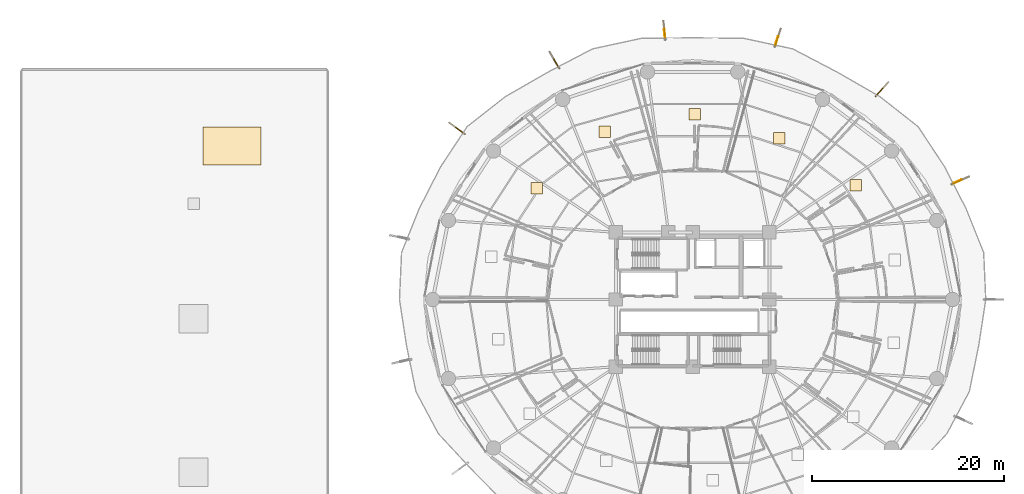
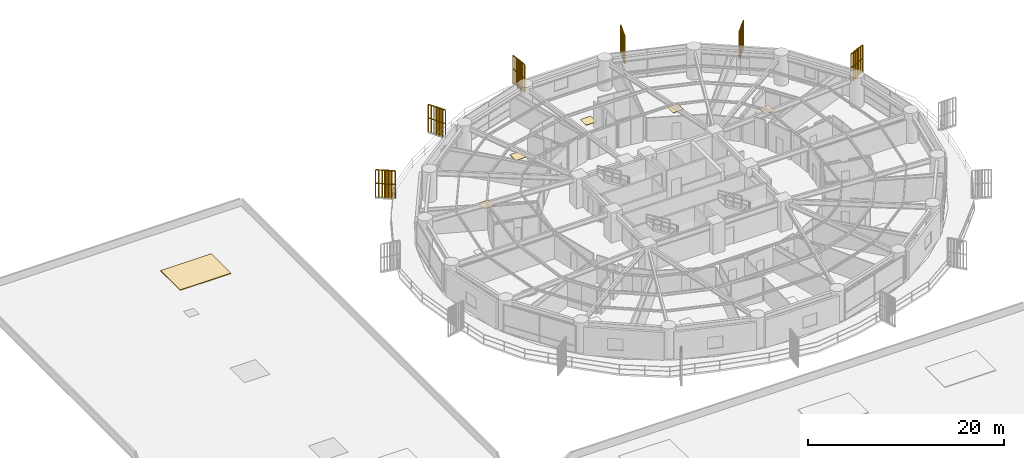
# One storey, part 35 of 35: 6 coverings, 6 railings, 6 shading devices.
"""IFC4 building model written with IfcOpenShell, lengths in metres."""

from ifc_helpers import new_model, si_unit, direction, frame, origin, origin_2d, place, context, subcontext, project, spatial, polyline, rectangle, outline, extrude, source, transform, mapped, material, layer, layer_set, type_object, element, save


model = new_model("IFC4")

# Units and contexts
model_context = context("Model", 3, precision=1e-05, world=origin(), true_north=direction((0.0, 1.0)))
body_context = subcontext(model_context, "Body", "Model", "MODEL_VIEW")
ifc_project = project(units=[si_unit("LENGTHUNIT", "METRE"), si_unit("AREAUNIT", "SQUARE_METRE"), si_unit("VOLUMEUNIT", "CUBIC_METRE"), si_unit("PLANEANGLEUNIT", "RADIAN"), si_unit("MASSUNIT", "GRAM", prefix="KILO")], contexts=[model_context])

# Site, building, storey
site_placement = place(None, origin())
site = spatial("IfcSite", under=ifc_project, at=site_placement, CompositionType="ELEMENT")
building_placement = place(site_placement, origin())
building = spatial("IfcBuilding", under=site, at=building_placement, Name="Kelanora Arch Commons", CompositionType="ELEMENT")
storey_placement = place(building_placement, frame((0.0, 0.0, 22.5)))
storey = spatial("IfcBuildingStorey", under=building, at=storey_placement, Name="L05", CompositionType="ELEMENT", Elevation=22.5)

# Railings
ifc_material_1 = material(Name="Anodised bronze vertical shading fin rib assembly")
railing_type = type_object("IfcRailingType", Name="RAIL-FIN-BRZ", PredefinedType="BALUSTRADE", material=ifc_material_1)
railing_1_placement = place(storey_placement, frame((100.960693359375, 70.003662109375, -0.02001953125)))
element("IfcRailing", 1, at=railing_1_placement, inside=storey, type_object=railing_type, Name="Sweeping Bronze Vertical Fin Blade L05-01", PredefinedType="BALUSTRADE", context=body_context, shape_type="SweptSolid", body=[
    extrude(outline(polyline([(0.06982421875, 0.0), (0.034912109375, 0.060546875), (-0.034912109375, 0.060546875), (-0.06982421875, 0.0), (-0.034912109375, -0.060546875), (0.034912109375, -0.060546875), (0.06982421875, 0.0)])), frame((0.0, 0.0, 3.419921875), z_axis=(0.913543540245, 0.406740949593, 0.0), x_axis=(-0.406740949593, 0.913543540245, 0.0)), (0.0, 0.0, 1.0), 2.030029296875),
    extrude(outline(polyline([(0.06982421875, 0.0), (0.034912109375, 0.060546875), (-0.034912109375, 0.060546875), (-0.06982421875, 0.0), (-0.034912109375, -0.060546875), (0.034912109375, -0.060546875), (0.06982421875, 0.0)])), frame((0.0, 0.0, 1.7451171875), z_axis=(0.913543540245, 0.406740949593, 0.0), x_axis=(-0.406740949593, 0.913543540245, 0.0)), (0.0, 0.0, 1.0), 2.030029296875),
    extrude(outline(polyline([(0.080078125, 0.0), (0.0400390625, 0.0693359375), (-0.0400390625, 0.0693359375), (-0.080078125, 0.0), (-0.0400390625, -0.0693359375), (0.0400390625, -0.0693359375), (0.080078125, 0.0)])), origin(), (0.0, 0.0, 1.0), 3.35009765625),
    extrude(outline(polyline([(0.080078125, 0.0), (0.0400390625, 0.0693359375), (-0.0400390625, 0.0693359375), (-0.080078125, 0.0), (-0.0400390625, -0.0693359375), (0.0400390625, -0.0693359375), (0.080078125, 0.0)])), frame((0.30908203125, 0.1376953125, 0.0)), (0.0, 0.0, 1.0), 3.35009765625),
    extrude(outline(polyline([(0.080078125, 0.0), (0.0400390625, 0.0693359375), (-0.0400390625, 0.0693359375), (-0.080078125, 0.0), (-0.0400390625, -0.0693359375), (0.0400390625, -0.0693359375), (0.080078125, 0.0)])), frame((0.6181640625, 0.275146484375, 0.0)), (0.0, 0.0, 1.0), 3.35009765625),
    extrude(outline(polyline([(0.080078125, 0.0), (0.0400390625, 0.0693359375), (-0.0400390625, 0.0693359375), (-0.080078125, 0.0), (-0.0400390625, -0.0693359375), (0.0400390625, -0.0693359375), (0.080078125, 0.0)])), frame((0.92724609375, 0.412841796875, 0.0)), (0.0, 0.0, 1.0), 3.35009765625),
    extrude(outline(polyline([(0.080078125, 0.0), (0.0400390625, 0.0693359375), (-0.0400390625, 0.0693359375), (-0.080078125, 0.0), (-0.0400390625, -0.0693359375), (0.0400390625, -0.0693359375), (0.080078125, 0.0)])), frame((1.236328125, 0.550537109375, 0.0)), (0.0, 0.0, 1.0), 3.35009765625),
    extrude(outline(polyline([(0.080078125, 0.0), (0.0400390625, 0.0693359375), (-0.0400390625, 0.0693359375), (-0.080078125, 0.0), (-0.0400390625, -0.0693359375), (0.0400390625, -0.0693359375), (0.080078125, 0.0)])), frame((1.54541015625, 0.68798828125, 0.0)), (0.0, 0.0, 1.0), 3.35009765625),
    extrude(outline(polyline([(0.080078125, 0.0), (0.0400390625, 0.0693359375), (-0.0400390625, 0.0693359375), (-0.080078125, 0.0), (-0.0400390625, -0.0693359375), (0.0400390625, -0.0693359375), (0.080078125, 0.0)])), frame((1.8544921875, 0.82568359375, 0.0)), (0.0, 0.0, 1.0), 3.35009765625),
])
railing_2_placement = place(storey_placement, frame((93.060302734375, 79.168701171875, -0.02001953125)))
element("IfcRailing", 2, at=railing_2_placement, inside=storey, type_object=railing_type, Name="Sweeping Bronze Vertical Fin Blade L05-02", PredefinedType="BALUSTRADE", context=body_context, shape_type="SweptSolid", body=[
    extrude(outline(polyline([(0.06982421875, 0.0), (0.034912109375, 0.060546875), (-0.034912109375, 0.060546875), (-0.06982421875, 0.0), (-0.034912109375, -0.060546875), (0.034912109375, -0.060546875), (0.06982421875, 0.0)])), frame((0.0, 0.0, 3.419921875), z_axis=(0.669157399769, 0.743120699708, 0.0), x_axis=(-0.743120699708, 0.669157399769, 0.0)), (0.0, 0.0, 1.0), 2.030029296875),
    extrude(outline(polyline([(0.06982421875, 0.0), (0.034912109375, 0.060546875), (-0.034912109375, 0.060546875), (-0.06982421875, 0.0), (-0.034912109375, -0.060546875), (0.034912109375, -0.060546875), (0.06982421875, 0.0)])), frame((0.0, 0.0, 1.7451171875), z_axis=(0.669157399769, 0.743120699708, 0.0), x_axis=(-0.743120699708, 0.669157399769, 0.0)), (0.0, 0.0, 1.0), 2.030029296875),
    extrude(outline(polyline([(0.080078125, 0.0), (0.0400390625, 0.0693359375), (-0.0400390625, 0.0693359375), (-0.080078125, 0.0), (-0.0400390625, -0.0693359375), (0.0400390625, -0.0693359375), (0.080078125, 0.0)])), origin(), (0.0, 0.0, 1.0), 3.35009765625),
    extrude(outline(polyline([(0.080078125, 0.0), (0.0400390625, 0.0693359375), (-0.0400390625, 0.0693359375), (-0.080078125, 0.0), (-0.0400390625, -0.0693359375), (0.0400390625, -0.0693359375), (0.080078125, 0.0)])), frame((0.226318359375, 0.25146484375, 0.0)), (0.0, 0.0, 1.0), 3.35009765625),
    extrude(outline(polyline([(0.080078125, 0.0), (0.0400390625, 0.0693359375), (-0.0400390625, 0.0693359375), (-0.080078125, 0.0), (-0.0400390625, -0.0693359375), (0.0400390625, -0.0693359375), (0.080078125, 0.0)])), frame((0.452880859375, 0.5029296875, 0.0)), (0.0, 0.0, 1.0), 3.35009765625),
    extrude(outline(polyline([(0.080078125, 0.0), (0.0400390625, 0.0693359375), (-0.0400390625, 0.0693359375), (-0.080078125, 0.0), (-0.0400390625, -0.0693359375), (0.0400390625, -0.0693359375), (0.080078125, 0.0)])), frame((0.67919921875, 0.75439453125, 0.0)), (0.0, 0.0, 1.0), 3.35009765625),
    extrude(outline(polyline([(0.080078125, 0.0), (0.0400390625, 0.0693359375), (-0.0400390625, 0.0693359375), (-0.080078125, 0.0), (-0.0400390625, -0.0693359375), (0.0400390625, -0.0693359375), (0.080078125, 0.0)])), frame((0.905517578125, 1.005615234375, 0.0)), (0.0, 0.0, 1.0), 3.35009765625),
    extrude(outline(polyline([(0.080078125, 0.0), (0.0400390625, 0.0693359375), (-0.0400390625, 0.0693359375), (-0.080078125, 0.0), (-0.0400390625, -0.0693359375), (0.0400390625, -0.0693359375), (0.080078125, 0.0)])), frame((1.132080078125, 1.257080078125, 0.0)), (0.0, 0.0, 1.0), 3.35009765625),
    extrude(outline(polyline([(0.080078125, 0.0), (0.0400390625, 0.0693359375), (-0.0400390625, 0.0693359375), (-0.080078125, 0.0), (-0.0400390625, -0.0693359375), (0.0400390625, -0.0693359375), (0.080078125, 0.0)])), frame((1.3583984375, 1.508544921875, 0.0)), (0.0, 0.0, 1.0), 3.35009765625),
])
railing_3_placement = place(storey_placement, frame((82.5498046875, 84.3134765625, -0.02001953125)))
element("IfcRailing", 3, at=railing_3_placement, inside=storey, type_object=railing_type, Name="Sweeping Bronze Vertical Fin Blade L05-03", PredefinedType="BALUSTRADE", context=body_context, shape_type="SweptSolid", body=[
    extrude(outline(polyline([(0.06982421875, 0.0), (0.034912109375, 0.060546875), (-0.034912109375, 0.060546875), (-0.06982421875, 0.0), (-0.034912109375, -0.060546875), (0.034912109375, -0.060546875), (0.06982421875, 0.0)])), frame((0.0, 0.0, 3.419921875), z_axis=(0.308966414574, 0.951072949182, 0.0), x_axis=(-0.951072949182, 0.308966414574, 0.0)), (0.0, 0.0, 1.0), 2.030029296875),
    extrude(outline(polyline([(0.06982421875, 0.0), (0.034912109375, 0.060546875), (-0.034912109375, 0.060546875), (-0.06982421875, 0.0), (-0.034912109375, -0.060546875), (0.034912109375, -0.060546875), (0.06982421875, 0.0)])), frame((0.0, 0.0, 1.7451171875), z_axis=(0.308966414574, 0.951072949182, 0.0), x_axis=(-0.951072949182, 0.308966414574, 0.0)), (0.0, 0.0, 1.0), 2.030029296875),
    extrude(outline(polyline([(0.080078125, 0.0), (0.0400390625, 0.0693359375), (-0.0400390625, 0.0693359375), (-0.080078125, 0.0), (-0.0400390625, -0.0693359375), (0.0400390625, -0.0693359375), (0.080078125, 0.0)])), origin(), (0.0, 0.0, 1.0), 3.35009765625),
    extrude(outline(polyline([(0.080078125, 0.0), (0.0400390625, 0.0693359375), (-0.0400390625, 0.0693359375), (-0.080078125, 0.0), (-0.0400390625, -0.0693359375), (0.0400390625, -0.0693359375), (0.080078125, 0.0)])), frame((0.1044921875, 0.32177734375, 0.0)), (0.0, 0.0, 1.0), 3.35009765625),
    extrude(outline(polyline([(0.080078125, 0.0), (0.0400390625, 0.0693359375), (-0.0400390625, 0.0693359375), (-0.080078125, 0.0), (-0.0400390625, -0.0693359375), (0.0400390625, -0.0693359375), (0.080078125, 0.0)])), frame((0.208984375, 0.6435546875, 0.0)), (0.0, 0.0, 1.0), 3.35009765625),
    extrude(outline(polyline([(0.080078125, 0.0), (0.0400390625, 0.0693359375), (-0.0400390625, 0.0693359375), (-0.080078125, 0.0), (-0.0400390625, -0.0693359375), (0.0400390625, -0.0693359375), (0.080078125, 0.0)])), frame((0.3134765625, 0.96533203125, 0.0)), (0.0, 0.0, 1.0), 3.35009765625),
    extrude(outline(polyline([(0.080078125, 0.0), (0.0400390625, 0.0693359375), (-0.0400390625, 0.0693359375), (-0.080078125, 0.0), (-0.0400390625, -0.0693359375), (0.0400390625, -0.0693359375), (0.080078125, 0.0)])), frame((0.418212890625, 1.287109375, 0.0)), (0.0, 0.0, 1.0), 3.35009765625),
    extrude(outline(polyline([(0.080078125, 0.0), (0.0400390625, 0.0693359375), (-0.0400390625, 0.0693359375), (-0.080078125, 0.0), (-0.0400390625, -0.0693359375), (0.0400390625, -0.0693359375), (0.080078125, 0.0)])), frame((0.522705078125, 1.60888671875, 0.0)), (0.0, 0.0, 1.0), 3.35009765625),
    extrude(outline(polyline([(0.080078125, 0.0), (0.0400390625, 0.0693359375), (-0.0400390625, 0.0693359375), (-0.080078125, 0.0), (-0.0400390625, -0.0693359375), (0.0400390625, -0.0693359375), (0.080078125, 0.0)])), frame((0.627197265625, 1.9306640625, 0.0)), (0.0, 0.0, 1.0), 3.35009765625),
])
railing_4_placement = place(storey_placement, frame((71.15771484375, 85.04150390625, -0.02001953125)))
element("IfcRailing", 4, at=railing_4_placement, inside=storey, type_object=railing_type, Name="Sweeping Bronze Vertical Fin Blade L05-04", PredefinedType="BALUSTRADE", context=body_context, shape_type="SweptSolid", body=[
    extrude(outline(polyline([(0.06982421875, 0.0), (0.034912109375, 0.060546875), (-0.034912109375, 0.060546875), (-0.06982421875, 0.0), (-0.034912109375, -0.060546875), (0.034912109375, -0.060546875), (0.06982421875, 0.0)])), frame((0.0, 0.0, 3.419921875), z_axis=(-0.10451574419, 0.994523232115, 0.0), x_axis=(-0.994523232115, -0.10451574419, 0.0)), (0.0, 0.0, 1.0), 2.030029296875),
    extrude(outline(polyline([(0.06982421875, 0.0), (0.034912109375, 0.060546875), (-0.034912109375, 0.060546875), (-0.06982421875, 0.0), (-0.034912109375, -0.060546875), (0.034912109375, -0.060546875), (0.06982421875, 0.0)])), frame((0.0, 0.0, 1.7451171875), z_axis=(-0.10451574419, 0.994523232115, 0.0), x_axis=(-0.994523232115, -0.10451574419, 0.0)), (0.0, 0.0, 1.0), 2.030029296875),
    extrude(outline(polyline([(0.080078125, 0.0), (0.0400390625, 0.0693359375), (-0.0400390625, 0.0693359375), (-0.080078125, 0.0), (-0.0400390625, -0.0693359375), (0.0400390625, -0.0693359375), (0.080078125, 0.0)])), origin(), (0.0, 0.0, 1.0), 3.35009765625),
    extrude(outline(polyline([(0.080078125, 0.0), (0.0400390625, 0.0693359375), (-0.0400390625, 0.0693359375), (-0.080078125, 0.0), (-0.0400390625, -0.0693359375), (0.0400390625, -0.0693359375), (0.080078125, 0.0)])), frame((-0.035400390625, 0.33642578125, 0.0)), (0.0, 0.0, 1.0), 3.35009765625),
    extrude(outline(polyline([(0.080078125, 0.0), (0.0400390625, 0.0693359375), (-0.0400390625, 0.0693359375), (-0.080078125, 0.0), (-0.0400390625, -0.0693359375), (0.0400390625, -0.0693359375), (0.080078125, 0.0)])), frame((-0.07080078125, 0.6728515625, 0.0)), (0.0, 0.0, 1.0), 3.35009765625),
    extrude(outline(polyline([(0.080078125, 0.0), (0.0400390625, 0.0693359375), (-0.0400390625, 0.0693359375), (-0.080078125, 0.0), (-0.0400390625, -0.0693359375), (0.0400390625, -0.0693359375), (0.080078125, 0.0)])), frame((-0.10595703125, 1.00927734375, 0.0)), (0.0, 0.0, 1.0), 3.35009765625),
    extrude(outline(polyline([(0.080078125, 0.0), (0.0400390625, 0.0693359375), (-0.0400390625, 0.0693359375), (-0.080078125, 0.0), (-0.0400390625, -0.0693359375), (0.0400390625, -0.0693359375), (0.080078125, 0.0)])), frame((-0.141357421875, 1.345947265625, 0.0)), (0.0, 0.0, 1.0), 3.35009765625),
    extrude(outline(polyline([(0.080078125, 0.0), (0.0400390625, 0.0693359375), (-0.0400390625, 0.0693359375), (-0.080078125, 0.0), (-0.0400390625, -0.0693359375), (0.0400390625, -0.0693359375), (0.080078125, 0.0)])), frame((-0.1767578125, 1.682373046875, 0.0)), (0.0, 0.0, 1.0), 3.35009765625),
    extrude(outline(polyline([(0.080078125, 0.0), (0.0400390625, 0.0693359375), (-0.0400390625, 0.0693359375), (-0.080078125, 0.0), (-0.0400390625, -0.0693359375), (0.0400390625, -0.0693359375), (0.080078125, 0.0)])), frame((-0.212158203125, 2.018798828125, 0.0)), (0.0, 0.0, 1.0), 3.35009765625),
])
railing_5_placement = place(storey_placement, frame((60.102294921875, 82.0712890625, -0.02001953125)))
element("IfcRailing", 5, at=railing_5_placement, inside=storey, type_object=railing_type, Name="Sweeping Bronze Vertical Fin Blade L05-05", PredefinedType="BALUSTRADE", context=body_context, shape_type="SweptSolid", body=[
    extrude(outline(polyline([(0.06982421875, 0.0), (0.034912109375, 0.060546875), (-0.034912109375, 0.060546875), (-0.06982421875, 0.0), (-0.034912109375, -0.060546875), (0.034912109375, -0.060546875), (0.06982421875, 0.0)])), frame((0.0, 0.0, 3.419921875), z_axis=(-0.499954962928, 0.866051404389, 0.0), x_axis=(-0.866051404389, -0.499954962928, 0.0)), (0.0, 0.0, 1.0), 2.030029296875),
    extrude(outline(polyline([(0.06982421875, 0.0), (0.034912109375, 0.060546875), (-0.034912109375, 0.060546875), (-0.06982421875, 0.0), (-0.034912109375, -0.060546875), (0.034912109375, -0.060546875), (0.06982421875, 0.0)])), frame((0.0, 0.0, 1.7451171875), z_axis=(-0.499954962928, 0.866051404389, 0.0), x_axis=(-0.866051404389, -0.499954962928, 0.0)), (0.0, 0.0, 1.0), 2.030029296875),
    extrude(outline(polyline([(0.080078125, 0.0), (0.0400390625, 0.0693359375), (-0.0400390625, 0.0693359375), (-0.080078125, 0.0), (-0.0400390625, -0.0693359375), (0.0400390625, -0.0693359375), (0.080078125, 0.0)])), origin(), (0.0, 0.0, 1.0), 3.35009765625),
    extrude(outline(polyline([(0.080078125, 0.0), (0.0400390625, 0.0693359375), (-0.0400390625, 0.0693359375), (-0.080078125, 0.0), (-0.0400390625, -0.0693359375), (0.0400390625, -0.0693359375), (0.080078125, 0.0)])), frame((-0.169189453125, 0.29296875, 0.0)), (0.0, 0.0, 1.0), 3.35009765625),
    extrude(outline(polyline([(0.080078125, 0.0), (0.0400390625, 0.0693359375), (-0.0400390625, 0.0693359375), (-0.080078125, 0.0), (-0.0400390625, -0.0693359375), (0.0400390625, -0.0693359375), (0.080078125, 0.0)])), frame((-0.33837890625, 0.5859375, 0.0)), (0.0, 0.0, 1.0), 3.35009765625),
    extrude(outline(polyline([(0.080078125, 0.0), (0.0400390625, 0.0693359375), (-0.0400390625, 0.0693359375), (-0.080078125, 0.0), (-0.0400390625, -0.0693359375), (0.0400390625, -0.0693359375), (0.080078125, 0.0)])), frame((-0.50732421875, 0.87890625, 0.0)), (0.0, 0.0, 1.0), 3.35009765625),
    extrude(outline(polyline([(0.080078125, 0.0), (0.0400390625, 0.0693359375), (-0.0400390625, 0.0693359375), (-0.080078125, 0.0), (-0.0400390625, -0.0693359375), (0.0400390625, -0.0693359375), (0.080078125, 0.0)])), frame((-0.676513671875, 1.172119140625, 0.0)), (0.0, 0.0, 1.0), 3.35009765625),
    extrude(outline(polyline([(0.080078125, 0.0), (0.0400390625, 0.0693359375), (-0.0400390625, 0.0693359375), (-0.080078125, 0.0), (-0.0400390625, -0.0693359375), (0.0400390625, -0.0693359375), (0.080078125, 0.0)])), frame((-0.845703125, 1.465087890625, 0.0)), (0.0, 0.0, 1.0), 3.35009765625),
    extrude(outline(polyline([(0.080078125, 0.0), (0.0400390625, 0.0693359375), (-0.0400390625, 0.0693359375), (-0.080078125, 0.0), (-0.0400390625, -0.0693359375), (0.0400390625, -0.0693359375), (0.080078125, 0.0)])), frame((-1.014892578125, 1.758056640625, 0.0)), (0.0, 0.0, 1.0), 3.35009765625),
])
railing_6_placement = place(storey_placement, frame((50.25, 75.25537109375, -0.02001953125)))
element("IfcRailing", 6, at=railing_6_placement, inside=storey, type_object=railing_type, Name="Sweeping Bronze Vertical Fin Blade L05-06", PredefinedType="BALUSTRADE", context=body_context, shape_type="SweptSolid", body=[
    extrude(outline(polyline([(0.06982421875, 0.0), (0.034912109375, 0.060546875), (-0.034912109375, 0.060546875), (-0.06982421875, 0.0), (-0.034912109375, -0.060546875), (0.034912109375, -0.060546875), (0.06982421875, 0.0)])), frame((0.0, 0.0, 3.419921875), z_axis=(-0.809001267557, 0.587806897792, 0.0), x_axis=(-0.587806897792, -0.809001267557, 0.0)), (0.0, 0.0, 1.0), 2.02978515625),
    extrude(outline(polyline([(0.06982421875, 0.0), (0.034912109375, 0.060546875), (-0.034912109375, 0.060546875), (-0.06982421875, 0.0), (-0.034912109375, -0.060546875), (0.034912109375, -0.060546875), (0.06982421875, 0.0)])), frame((0.0, 0.0, 1.7451171875), z_axis=(-0.809001267557, 0.587806897792, 0.0), x_axis=(-0.587806897792, -0.809001267557, 0.0)), (0.0, 0.0, 1.0), 2.02978515625),
    extrude(outline(polyline([(0.080078125, 0.0), (0.0400390625, 0.0693359375), (-0.0400390625, 0.0693359375), (-0.080078125, 0.0), (-0.0400390625, -0.0693359375), (0.0400390625, -0.0693359375), (0.080078125, 0.0)])), origin(), (0.0, 0.0, 1.0), 3.35009765625),
    extrude(outline(polyline([(0.080078125, 0.0), (0.0400390625, 0.0693359375), (-0.0400390625, 0.0693359375), (-0.080078125, 0.0), (-0.0400390625, -0.0693359375), (0.0400390625, -0.0693359375), (0.080078125, 0.0)])), frame((-0.273681640625, 0.19873046875, 0.0)), (0.0, 0.0, 1.0), 3.35009765625),
    extrude(outline(polyline([(0.080078125, 0.0), (0.0400390625, 0.0693359375), (-0.0400390625, 0.0693359375), (-0.080078125, 0.0), (-0.0400390625, -0.0693359375), (0.0400390625, -0.0693359375), (0.080078125, 0.0)])), frame((-0.54736328125, 0.397705078125, 0.0)), (0.0, 0.0, 1.0), 3.35009765625),
    extrude(outline(polyline([(0.080078125, 0.0), (0.0400390625, 0.0693359375), (-0.0400390625, 0.0693359375), (-0.080078125, 0.0), (-0.0400390625, -0.0693359375), (0.0400390625, -0.0693359375), (0.080078125, 0.0)])), frame((-0.821044921875, 0.5966796875, 0.0)), (0.0, 0.0, 1.0), 3.35009765625),
    extrude(outline(polyline([(0.080078125, 0.0), (0.0400390625, 0.0693359375), (-0.0400390625, 0.0693359375), (-0.080078125, 0.0), (-0.0400390625, -0.0693359375), (0.0400390625, -0.0693359375), (0.080078125, 0.0)])), frame((-1.0947265625, 0.79541015625, 0.0)), (0.0, 0.0, 1.0), 3.35009765625),
    extrude(outline(polyline([(0.080078125, 0.0), (0.0400390625, 0.0693359375), (-0.0400390625, 0.0693359375), (-0.080078125, 0.0), (-0.0400390625, -0.0693359375), (0.0400390625, -0.0693359375), (0.080078125, 0.0)])), frame((-1.368408203125, 0.994140625, 0.0)), (0.0, 0.0, 1.0), 3.35009765625),
    extrude(outline(polyline([(0.080078125, 0.0), (0.0400390625, 0.0693359375), (-0.0400390625, 0.0693359375), (-0.080078125, 0.0), (-0.0400390625, -0.0693359375), (0.0400390625, -0.0693359375), (0.080078125, 0.0)])), frame((-1.64208984375, 1.193115234375, 0.0)), (0.0, 0.0, 1.0), 3.35009765625),
])

# Shading devices
ifc_material_2 = material(Name="Terracotta ceramic-clad extruded aluminium fin", Category="masonry")
shading_device_type = type_object("IfcShadingDeviceType", Name="SHD-FIN-FLARE", PredefinedType="USERDEFINED", material=ifc_material_2)
shared_shape_1 = source(origin(), body_context, "Body", "SweptSolid", [
    extrude(rectangle(XDim=0.8798828125, YDim=0.090087890625, at=origin_2d()), origin(), (0.0, 0.0, 1.0), 3.610107421875),
])
for number, where, z_axis, x_axis, name in (
    (7, (101.618408203125, 70.29638671875, -0.14013671875), (0.0, 0.0, 1.0), (0.913545457643, 0.406736643076, 0.0), "Sweeping Terracotta Fin L05-01"),
    (8, (93.5419921875, 79.70361328125, -0.14013671875), (0.0, 0.0, 1.0), (0.669130606359, 0.743144825477, 0.0), "Sweeping Terracotta Fin L05-02"),
    (9, (82.772216796875, 84.998291015625, -0.14013671875), (0.0, 0.0, 1.0), (0.309016994375, 0.951056516295, 0.0), "Sweeping Terracotta Fin L05-03"),
    (10, (71.08251953125, 85.75732421875, -0.14013671875), (0.0, 0.0, 1.0), (-0.104528463268, 0.994521895368, 0.0), "Sweeping Terracotta Fin L05-04"),
    (11, (59.742431640625, 82.69482421875, -0.14013671875), (0.0, 0.0, 1.0), (-0.5, 0.866025403784, 0.0), "Sweeping Terracotta Fin L05-05"),
    (12, (49.66748046875, 75.678466796875, -0.14013671875), (0.0, 0.0, 1.0), (-0.809016994375, 0.587785252292, 0.0), "Sweeping Terracotta Fin L05-06"),
):
    element("IfcShadingDevice", number, at=place(storey_placement, frame(where, z_axis=z_axis, x_axis=x_axis)), inside=storey, type_object=shading_device_type, Name=name, ObjectType="FIN", PredefinedType="USERDEFINED", context=body_context, shape_type="MappedRepresentation", body=[
        mapped(shared_shape_1, transform((0.0, 0.0, 0.0), scale=1.0)),
    ])

# Coverings
ifc_material_3 = material(Name="Insulated standing-seam terracotta-bronze metal roofing", Category="masonry")
ifc_layer_1 = layer(ifc_material_3, 0.080078125)
ifc_layer_set_1 = layer_set([ifc_layer_1], Name="Insulated standing-seam terracotta-bronze metal roofing")
covering_type_1 = type_object("IfcCoveringType", Name="COV-ROOF-MEM", PredefinedType="ROOFING", material=ifc_layer_set_1)
shared_shape_2 = source(origin(), body_context, "Body", "SweptSolid", [
    extrude(rectangle(XDim=6.0, YDim=4.0, at=origin_2d()), origin(), (0.0, 0.0, 1.0), 0.080078125),
])
covering_placement = place(storey_placement, frame((26.0, 74.0, 0.0), z_axis=(0.0, 0.0, 1.0), x_axis=(1.0, 0.0, 0.0)))
element("IfcCovering", 13, at=covering_placement, inside=storey, type_object=covering_type_1, Name="Market Hall Standing-Seam Roof Panel 6", PredefinedType="ROOFING", context=body_context, shape_type="MappedRepresentation", body=[
    mapped(shared_shape_2, transform((0.0, 0.0, 0.0), scale=1.0)),
])
ifc_material_4 = material(Name="Polished local granite terrazzo flooring", Category="masonry")
ifc_layer_2 = layer(ifc_material_4, 0.030029296875)
ifc_layer_set_2 = layer_set([ifc_layer_2], Name="Polished local granite terrazzo flooring")
covering_type_2 = type_object("IfcCoveringType", Name="COV-FLR-TER", PredefinedType="FLOORING", material=ifc_layer_set_2)
shared_shape_3 = source(origin(), body_context, "Body", "SweptSolid", [
    extrude(rectangle(XDim=1.199951171875, YDim=1.199951171875, at=origin_2d()), origin(), (0.0, 0.0, 1.0), 0.030029296875),
])
for number, where, z_axis, x_axis, name in (
    (14, (90.995849609375, 69.902587890625, 0.0), (0.0, 0.0, 1.0), (1.0, 0.0, 0.0), "Co-Living Studio L05-02 Terrazzo Finish"),
    (15, (83.015380859375, 74.78271484375, 0.0), (0.0, 0.0, 1.0), (1.0, 0.0, 0.0), "Social Sky Lounge L05-03 Terrazzo Finish"),
    (16, (74.2109375, 77.322998046875, 0.0), (0.0, 0.0, 1.0), (1.0, 0.0, 0.0), "Co-Living Studio L05-04 Terrazzo Finish"),
    (17, (64.830810546875, 75.48974609375, 0.0), (0.0, 0.0, 1.0), (1.0, 0.0, 0.0), "Co-Living Studio L05-05 Terrazzo Finish"),
    (18, (57.7548828125, 69.614013671875, 0.0), (0.0, 0.0, 1.0), (1.0, 0.0, 0.0), "Quiet Seminar Study Room L05-06 Terrazzo Finish"),
):
    element("IfcCovering", number, at=place(storey_placement, frame(where, z_axis=z_axis, x_axis=x_axis)), inside=storey, type_object=covering_type_2, Name=name, PredefinedType="FLOORING", context=body_context, shape_type="MappedRepresentation", body=[
        mapped(shared_shape_3, transform((0.0, 0.0, 0.0), scale=1.0)),
    ])

save(model, "model.ifc")
